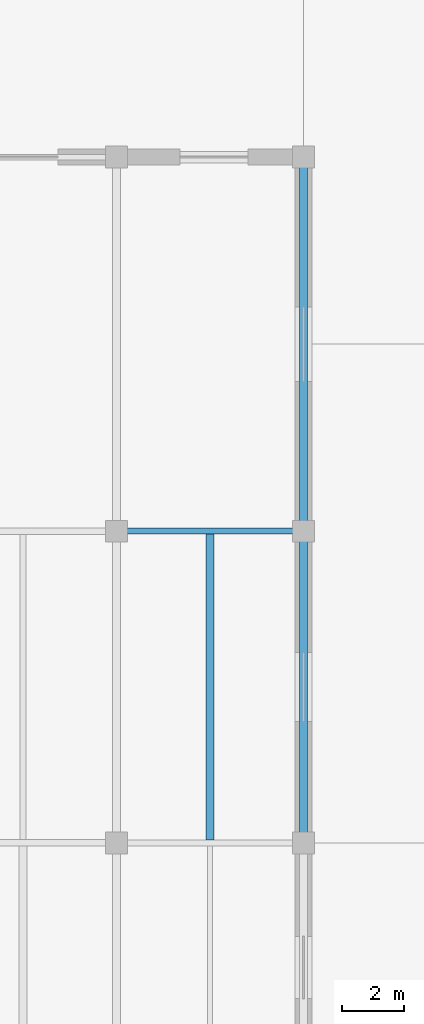
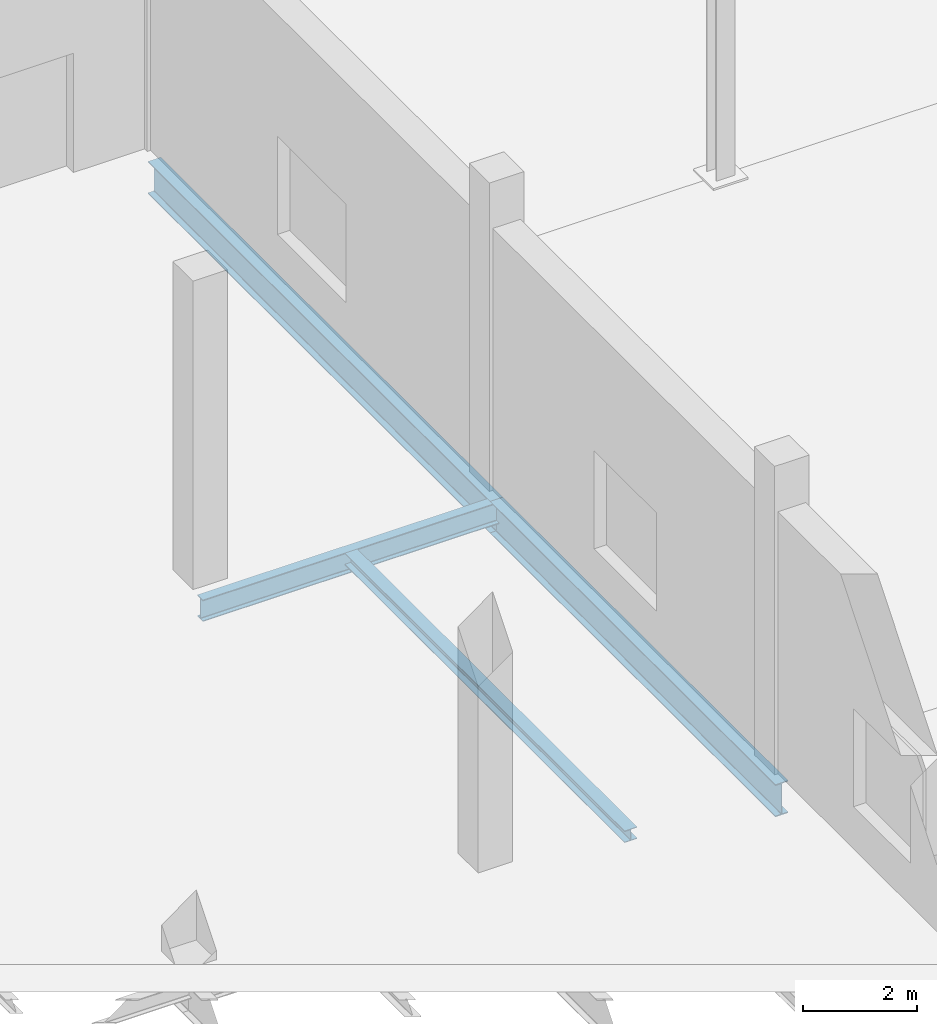
# One storey, part 61 of 140: 4 beams.
"""IFC4 building model written with IfcOpenShell, lengths in metres."""

from ifc_helpers import new_model, si_unit, direction, frame, origin, origin_2d, place, context, subcontext, project, spatial, i_section, extrude, material, material_profile, profile_set, type_object, element, save


model = new_model("IFC4")

# Units and contexts
model_context = context("Model", 3, precision=1e-05, world=origin(), true_north=direction((0.0, 1.0)))
body_context = subcontext(model_context, "Body", "Model", "MODEL_VIEW")
ifc_project = project(units=[si_unit("LENGTHUNIT", "METRE"), si_unit("AREAUNIT", "SQUARE_METRE"), si_unit("VOLUMEUNIT", "CUBIC_METRE"), si_unit("PLANEANGLEUNIT", "RADIAN"), si_unit("MASSUNIT", "GRAM", prefix="KILO")], contexts=[model_context])

# Site, building, storey
site_placement = place(None, origin())
site = spatial("IfcSite", under=ifc_project, at=site_placement, CompositionType="ELEMENT")
building_placement = place(site_placement, origin())
building = spatial("IfcBuilding", under=site, at=building_placement, Name="Verrall Gate Interchange", CompositionType="ELEMENT")
storey_placement = place(building_placement, origin())
storey = spatial("IfcBuildingStorey", under=building, at=storey_placement, Name="L01", CompositionType="ELEMENT", Elevation=0.0)

# Beams
ifc_material_1 = material(Name="Structural Steel CSA G40.21 350WT Cat 4", Category="steel")
ifc_material_profile_1 = material_profile(ifc_material_1, i_section(OverallWidth=0.256103515625, OverallDepth=0.693115234375, WebThickness=0.01318359375, FlangeThickness=0.02001953125, FilletRadius=0.01611328125, at=origin_2d()), Name="W690x170")
ifc_profile_set_1 = profile_set([ifc_material_profile_1], Name="Structural Steel CSA G40.21 350WT Cat 4")
beam_type_1 = type_object("IfcBeamType", Name="B-07 Structural Beam W690x170", PredefinedType="BEAM", material=ifc_profile_set_1)
beam_1_placement = place(storey_placement, frame((36.0, 74.0, -0.846435546875), z_axis=(0.0, 1.0, 0.0), x_axis=(-1.0, 0.0, 0.0)))
element("IfcBeam", 1, at=beam_1_placement, inside=storey, type_object=beam_type_1, Name="L01 Girder BM-L01-1084 (B-07)", PredefinedType="BEAM", context=body_context, shape_type="SweptSolid", body=[
    extrude(i_section(OverallWidth=0.256103515625, OverallDepth=0.693115234375, WebThickness=0.01318359375, FlangeThickness=0.02001953125, FilletRadius=0.01611328125, at=origin_2d()), origin(), (0.0, 0.0, 1.0), 10.0),
])
beam_2_placement = place(storey_placement, frame((36.0, 84.0, -0.846435546875), z_axis=(0.0, 1.0, 0.0), x_axis=(-1.0, 0.0, 0.0)))
element("IfcBeam", 2, at=beam_2_placement, inside=storey, type_object=beam_type_1, Name="L01 Girder BM-L01-1085 (B-07)", PredefinedType="BEAM", context=body_context, shape_type="SweptSolid", body=[
    extrude(i_section(OverallWidth=0.256103515625, OverallDepth=0.693115234375, WebThickness=0.01318359375, FlangeThickness=0.02001953125, FilletRadius=0.01611328125, at=origin_2d()), origin(), (0.0, 0.0, 1.0), 12.0),
])
ifc_material_2 = material(Name="Structural Steel CSA G40.21 350W", Category="steel")
ifc_material_profile_2 = material_profile(ifc_material_2, i_section(OverallWidth=0.19189453125, OverallDepth=0.462890625, WebThickness=0.010498046875, FlangeThickness=0.017578125, FilletRadius=0.012939453125, at=origin_2d()), Name="W460x89")
ifc_profile_set_2 = profile_set([ifc_material_profile_2], Name="Structural Steel CSA G40.21 350W")
beam_type_2 = type_object("IfcBeamType", Name="B-11 Structural Beam W460x89", PredefinedType="BEAM", material=ifc_profile_set_2)
beam_3_placement = place(storey_placement, frame((30.0, 84.0, -0.7314453125), z_axis=(1.0, 0.0, 0.0), x_axis=(0.0, 1.0, 0.0)))
element("IfcBeam", 3, at=beam_3_placement, inside=storey, type_object=beam_type_2, Name="L01 Girder BM-L01-0973 (B-11)", PredefinedType="BEAM", context=body_context, shape_type="SweptSolid", body=[
    extrude(i_section(OverallWidth=0.19189453125, OverallDepth=0.462890625, WebThickness=0.010498046875, FlangeThickness=0.017578125, FilletRadius=0.012939453125, at=origin_2d()), origin(), (0.0, 0.0, 1.0), 6.0),
])
ifc_material_3 = material(Name="Structural Steel CSA G40.21 350W", Category="steel")
ifc_material_profile_3 = material_profile(ifc_material_3, i_section(OverallWidth=0.25390625, OverallDepth=0.2529296875, WebThickness=0.008544921875, FlangeThickness=0.01416015625, FilletRadius=0.011962890625, at=origin_2d()), Name="W250x73")
ifc_profile_set_3 = profile_set([ifc_material_profile_3], Name="Structural Steel CSA G40.21 350W")
beam_type_3 = type_object("IfcBeamType", Name="J-05 Floor Joist W250x73", PredefinedType="JOIST", material=ifc_profile_set_3)
beam_4_placement = place(storey_placement, frame((33.0, 74.095947265625, -0.62646484375), z_axis=(0.0, 1.0, 0.0), x_axis=(-1.0, 0.0, 0.0)))
element("IfcBeam", 4, at=beam_4_placement, inside=storey, type_object=beam_type_3, Name="L01 Secondary Floor Joist JST-L01-1434", PredefinedType="JOIST", context=body_context, shape_type="SweptSolid", body=[
    extrude(i_section(OverallWidth=0.25390625, OverallDepth=0.2529296875, WebThickness=0.008544921875, FlangeThickness=0.01416015625, FilletRadius=0.011962890625, at=origin_2d()), origin(), (0.0, 0.0, 1.0), 9.80810546875),
])

save(model, "model.ifc")
